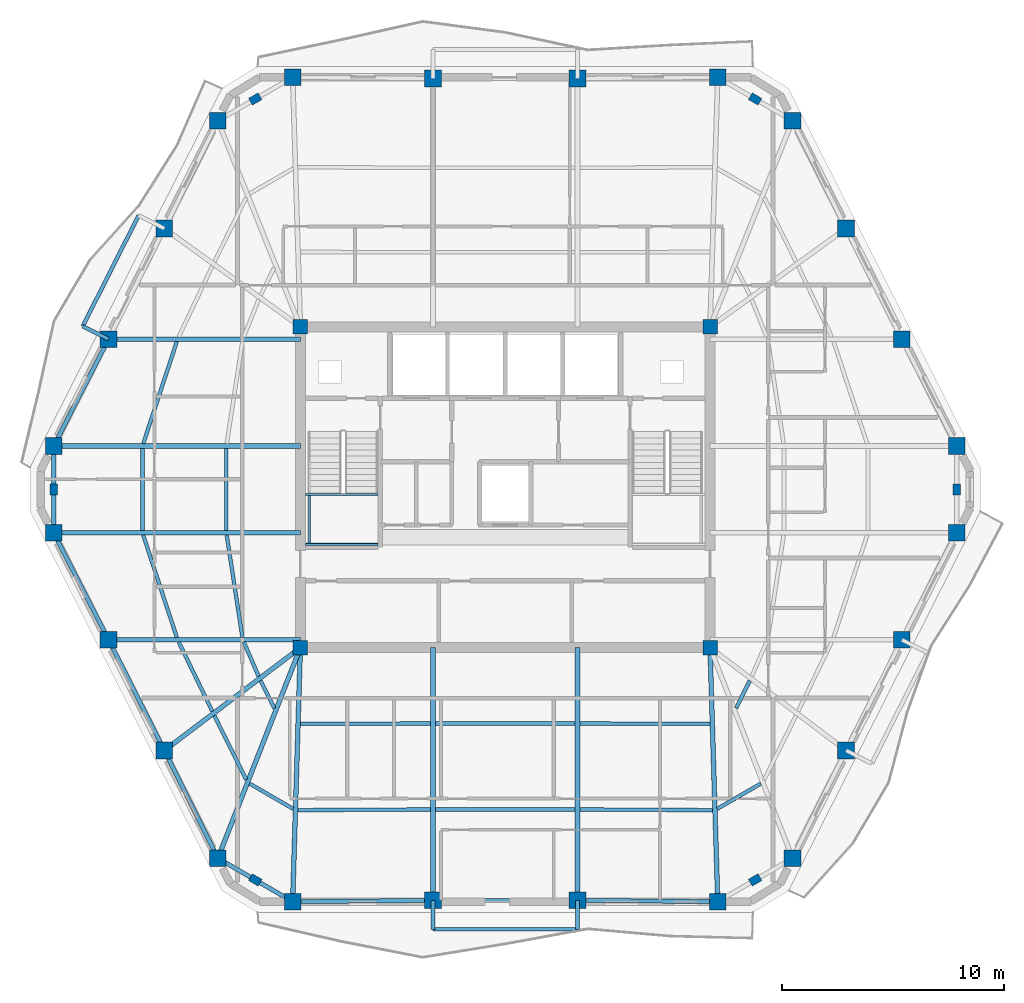
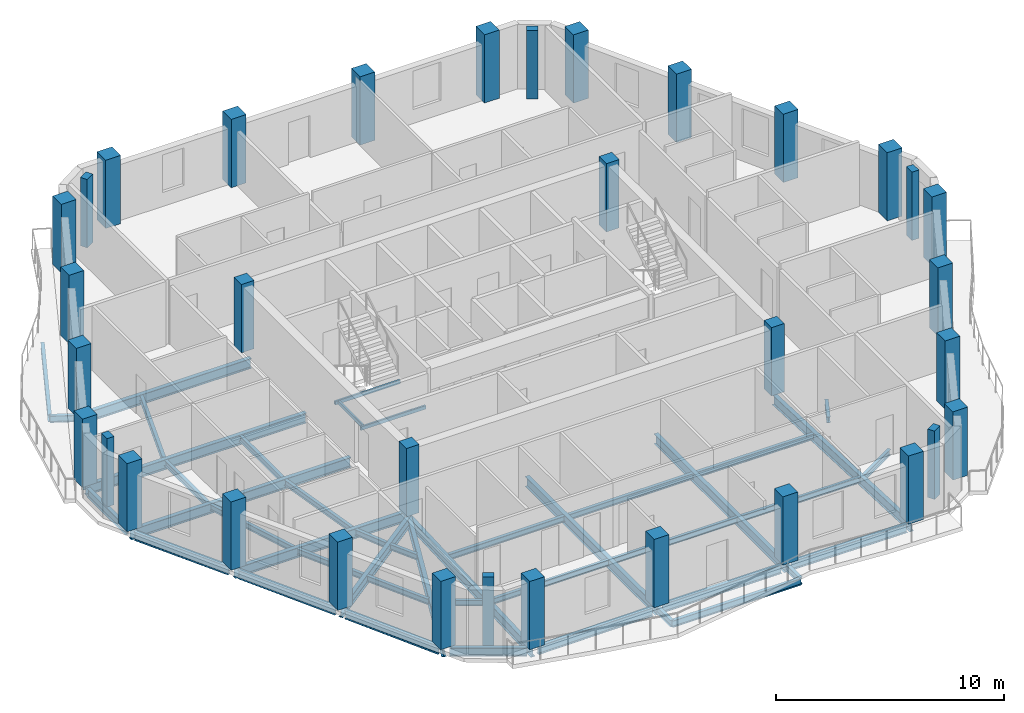
# One storey, part 1 of 11: 45 beams, 34 columns.
"""IFC4 building model written with IfcOpenShell, lengths in metres."""

from ifc_helpers import new_model, si_unit, direction, frame, origin, origin_2d, place, context, subcontext, project, spatial, rectangle, hollow_rectangle, i_section, extrude, material, material_profile, profile_set, type_object, element, save


model = new_model("IFC4")

# Units and contexts
model_context = context("Model", 3, precision=1e-05, world=origin(), true_north=direction((0.0, 1.0)))
body_context = subcontext(model_context, "Body", "Model", "MODEL_VIEW")
ifc_project = project(units=[si_unit("LENGTHUNIT", "METRE"), si_unit("AREAUNIT", "SQUARE_METRE"), si_unit("VOLUMEUNIT", "CUBIC_METRE"), si_unit("PLANEANGLEUNIT", "RADIAN"), si_unit("MASSUNIT", "GRAM", prefix="KILO")], contexts=[model_context])

# Site, building, storey
site_placement = place(None, origin())
site = spatial("IfcSite", under=ifc_project, at=site_placement, CompositionType="ELEMENT")
building_placement = place(site_placement, origin())
building = spatial("IfcBuilding", under=site, at=building_placement, Name="Cinnabar Lancet Tower", CompositionType="ELEMENT")
storey_placement = place(building_placement, frame((0.0, 0.0, 252.550048828125)))
storey = spatial("IfcBuildingStorey", under=building, at=storey_placement, Name="L67", CompositionType="ELEMENT", Elevation=252.550048828125)

# Columns
ifc_material_1 = material(Name="Concrete C50/60", Category="concrete")
ifc_material_profile_1 = material_profile(ifc_material_1, rectangle(XDim=0.64990234375, YDim=0.64990234375, at=origin_2d()), Name="RC-COL 650x650")
ifc_profile_set_1 = profile_set([ifc_material_profile_1], Name="Concrete C50/60")
column_type_1 = type_object("IfcColumnType", Name="STR-COL-CORE-650B", PredefinedType="COLUMN", material=ifc_profile_set_1)
for number, where, z_axis, x_axis, name in (
    (1, (23.175048828125, 18.675048828125, 0.0), (0.0, 0.0, 1.0), (1.0, 0.0, 0.0), "L67 Core Corner Column SW"),
    (2, (41.625, 18.675048828125, 0.0), (0.0, 0.0, 1.0), (1.0, 0.0, 0.0), "L67 Core Corner Column SE"),
    (3, (41.625, 33.125, 0.0), (0.0, 0.0, 1.0), (1.0, 0.0, 0.0), "L67 Core Corner Column NE"),
    (4, (23.175048828125, 33.125, 0.0), (0.0, 0.0, 1.0), (1.0, 0.0, 0.0), "L67 Core Corner Column NW"),
):
    element("IfcColumn", number, at=place(storey_placement, frame(where, z_axis=z_axis, x_axis=x_axis)), inside=storey, type_object=column_type_1, Name=name, PredefinedType="COLUMN", context=body_context, shape_type="SweptSolid", body=[
        extrude(rectangle(XDim=0.64990234375, YDim=0.64990234375, at=origin_2d()), origin(), (0.0, 0.0, 1.0), 3.64990234375),
    ])
ifc_material_2 = material(Name="Concrete C60/75", Category="concrete")
ifc_material_profile_2 = material_profile(ifc_material_2, rectangle(XDim=0.5, YDim=0.35009765625, at=origin_2d()), Name="RC-PIL 500x350")
ifc_profile_set_2 = profile_set([ifc_material_profile_2], Name="Concrete C60/75")
column_type_2 = type_object("IfcColumnType", Name="STR-COL-PIL-500", PredefinedType="PILASTER", material=ifc_profile_set_2)
for number, where, z_axis, x_axis, name in (
    (5, (21.14306640625, 8.215087890625, 0.0), (0.0, 0.0, 1.0), (0.865256437757, -0.501329529272, 0.0), "L67 Chamfered Corner Pilaster 1"),
    (6, (43.656982421875, 8.215087890625, 0.0), (0.0, 0.0, 1.0), (0.865256437757, 0.501329529272, 0.0), "L67 Chamfered Corner Pilaster 2"),
    (7, (52.737060546875, 25.800048828125, 0.0), (0.0, 0.0, 1.0), (0.0, 1.0, 0.0), "L67 Chamfered Corner Pilaster 3"),
    (8, (43.656982421875, 43.385009765625, 0.0), (0.0, 0.0, 1.0), (-0.865256437757, 0.501329529272, 0.0), "L67 Chamfered Corner Pilaster 4"),
    (9, (21.14306640625, 43.385009765625, 0.0), (0.0, 0.0, 1.0), (-0.865256437757, -0.501329529272, 0.0), "L67 Chamfered Corner Pilaster 5"),
    (10, (12.06298828125, 25.800048828125, 0.0), (0.0, 0.0, 1.0), (0.0, -1.0, 0.0), "L67 Chamfered Corner Pilaster 6"),
):
    element("IfcColumn", number, at=place(storey_placement, frame(where, z_axis=z_axis, x_axis=x_axis)), inside=storey, type_object=column_type_2, Name=name, PredefinedType="PILASTER", context=body_context, shape_type="SweptSolid", body=[
        extrude(rectangle(XDim=0.5, YDim=0.35009765625, at=origin_2d()), origin(), (0.0, 0.0, 1.0), 3.64990234375),
    ])
ifc_material_3 = material(Name="Concrete C50/60", Category="concrete")
ifc_material_profile_3 = material_profile(ifc_material_3, rectangle(XDim=0.75, YDim=0.75, at=origin_2d()), Name="RC-COL 750x750")
ifc_profile_set_3 = profile_set([ifc_material_profile_3], Name="Concrete C50/60")
column_type_3 = type_object("IfcColumnType", Name="STR-COL-TUBE-750", PredefinedType="COLUMN", material=ifc_profile_set_3)
for number, where, z_axis, x_axis, name in (
    (11, (22.827880859375, 7.239013671875, 0.0), (0.0, 0.0, 1.0), (1.0, 0.0, 0.0), "L67 Perimeter Tube Column 1"),
    (12, (29.14599609375, 7.2919921875, 0.0), (0.0, 0.0, 1.0), (1.0, 0.0, 0.0), "L67 Perimeter Tube Column 2"),
    (13, (35.654052734375, 7.2919921875, 0.0), (0.0, 0.0, 1.0), (1.0, 0.0, 0.0), "L67 Perimeter Tube Column 3"),
    (14, (41.971923828125, 7.239013671875, 0.0), (0.0, 0.0, 1.0), (1.0, 0.0, 0.0), "L67 Perimeter Tube Column 4"),
    (15, (45.341064453125, 9.19091796875, 0.0), (0.0, 0.0, 1.0), (1.0, 0.0, 0.0), "L67 Perimeter Tube Column 5"),
    (16, (47.7490234375, 14.0458984375, 0.0), (0.0, 0.0, 1.0), (1.0, 0.0, 0.0), "L67 Perimeter Tube Column 6"),
    (17, (50.263916015625, 19.032958984375, 0.0), (0.0, 0.0, 1.0), (1.0, 0.0, 0.0), "L67 Perimeter Tube Column 7"),
    (18, (52.737060546875, 23.844970703125, 0.0), (0.0, 0.0, 1.0), (1.0, 0.0, 0.0), "L67 Perimeter Tube Column 8"),
    (19, (52.737060546875, 27.7548828125, 0.0), (0.0, 0.0, 1.0), (1.0, 0.0, 0.0), "L67 Perimeter Tube Column 9"),
    (20, (50.263916015625, 32.56689453125, 0.0), (0.0, 0.0, 1.0), (1.0, 0.0, 0.0), "L67 Perimeter Tube Column 10"),
    (21, (47.7490234375, 37.553955078125, 0.0), (0.0, 0.0, 1.0), (1.0, 0.0, 0.0), "L67 Perimeter Tube Column 11"),
    (22, (45.341064453125, 42.408935546875, 0.0), (0.0, 0.0, 1.0), (1.0, 0.0, 0.0), "L67 Perimeter Tube Column 12"),
    (23, (41.971923828125, 44.361083984375, 0.0), (0.0, 0.0, 1.0), (1.0, 0.0, 0.0), "L67 Perimeter Tube Column 13"),
    (24, (35.654052734375, 44.30810546875, 0.0), (0.0, 0.0, 1.0), (1.0, 0.0, 0.0), "L67 Perimeter Tube Column 14"),
    (25, (29.14599609375, 44.30810546875, 0.0), (0.0, 0.0, 1.0), (1.0, 0.0, 0.0), "L67 Perimeter Tube Column 15"),
    (26, (22.827880859375, 44.361083984375, 0.0), (0.0, 0.0, 1.0), (1.0, 0.0, 0.0), "L67 Perimeter Tube Column 16"),
    (27, (19.458984375, 42.408935546875, 0.0), (0.0, 0.0, 1.0), (1.0, 0.0, 0.0), "L67 Perimeter Tube Column 17"),
    (28, (17.051025390625, 37.553955078125, 0.0), (0.0, 0.0, 1.0), (1.0, 0.0, 0.0), "L67 Perimeter Tube Column 18"),
    (29, (14.535888671875, 32.56689453125, 0.0), (0.0, 0.0, 1.0), (1.0, 0.0, 0.0), "L67 Perimeter Tube Column 19"),
    (30, (12.06298828125, 27.7548828125, 0.0), (0.0, 0.0, 1.0), (1.0, 0.0, 0.0), "L67 Perimeter Tube Column 20"),
    (31, (12.06298828125, 23.844970703125, 0.0), (0.0, 0.0, 1.0), (1.0, 0.0, 0.0), "L67 Perimeter Tube Column 21"),
    (32, (14.535888671875, 19.032958984375, 0.0), (0.0, 0.0, 1.0), (1.0, 0.0, 0.0), "L67 Perimeter Tube Column 22"),
    (33, (17.051025390625, 14.0458984375, 0.0), (0.0, 0.0, 1.0), (1.0, 0.0, 0.0), "L67 Perimeter Tube Column 23"),
    (34, (19.458984375, 9.19091796875, 0.0), (0.0, 0.0, 1.0), (1.0, 0.0, 0.0), "L67 Perimeter Tube Column 24"),
):
    element("IfcColumn", number, at=place(storey_placement, frame(where, z_axis=z_axis, x_axis=x_axis)), inside=storey, type_object=column_type_3, Name=name, PredefinedType="COLUMN", context=body_context, shape_type="SweptSolid", body=[
        extrude(rectangle(XDim=0.75, YDim=0.75, at=origin_2d()), origin(), (0.0, 0.0, 1.0), 3.64990234375),
    ])

# Beams
ifc_material_4 = material(Name="Structural steel S355", Category="steel")
ifc_material_profile_4 = material_profile(ifc_material_4, i_section(OverallWidth=0.1650390625, OverallDepth=0.303466796875, WebThickness=0.006103515625, FlangeThickness=0.01025390625, FilletRadius=0.0087890625, at=origin_2d()), Name="UKB 305x165x40")
ifc_profile_set_4 = profile_set([ifc_material_profile_4], Name="Structural steel S355")
beam_type_1 = type_object("IfcBeamType", Name="STR-BM-JST-305", PredefinedType="JOIST", material=ifc_profile_set_4)
beam_1_placement = place(storey_placement, frame((16.097900390625, 23.739990234375, -0.35205078125), z_axis=(0.312536616989, -0.949905712711, 0.0), x_axis=(0.949905712711, 0.312536616989, 0.0)))
element("IfcBeam", 35, at=beam_1_placement, inside=storey, type_object=beam_type_1, Name="L67 Secondary Floor Joist 1", PredefinedType="JOIST", context=body_context, shape_type="SweptSolid", body=[
    extrude(i_section(OverallWidth=0.1650390625, OverallDepth=0.303466796875, WebThickness=0.006103515625, FlangeThickness=0.01025390625, FilletRadius=0.0087890625, at=origin_2d()), origin(), (0.0, 0.0, 1.0), 4.8447265625),
])
beam_2_placement = place(storey_placement, frame((19.85791015625, 23.739990234375, -0.35205078125), z_axis=(0.152262059154, -0.988340156698, 0.0), x_axis=(0.988340156698, 0.152262059154, 0.0)))
element("IfcBeam", 36, at=beam_2_placement, inside=storey, type_object=beam_type_1, Name="L67 Secondary Floor Joist 2", PredefinedType="JOIST", context=body_context, shape_type="SweptSolid", body=[
    extrude(i_section(OverallWidth=0.1650390625, OverallDepth=0.303466796875, WebThickness=0.006103515625, FlangeThickness=0.01025390625, FilletRadius=0.0087890625, at=origin_2d()), origin(), (0.0, 0.0, 1.0), 4.65625),
])
beam_3_placement = place(storey_placement, frame((17.697021484375, 18.927978515625, -0.35205078125), z_axis=(0.43610936109, -0.899893674369, 0.0), x_axis=(0.899893674369, 0.43610936109, 0.0)))
element("IfcBeam", 37, at=beam_3_placement, inside=storey, type_object=beam_type_1, Name="L67 Secondary Floor Joist 3", PredefinedType="JOIST", context=body_context, shape_type="SweptSolid", body=[
    extrude(i_section(OverallWidth=0.1650390625, OverallDepth=0.303466796875, WebThickness=0.006103515625, FlangeThickness=0.01025390625, FilletRadius=0.0087890625, at=origin_2d()), origin(), (0.0, 0.0, 1.0), 3.467041015625),
])
beam_4_placement = place(storey_placement, frame((20.62890625, 18.927978515625, -0.35205078125), z_axis=(0.396302440144, -0.91812002262, 0.0), x_axis=(0.91812002262, 0.396302440144, 0.0)))
element("IfcBeam", 38, at=beam_4_placement, inside=storey, type_object=beam_type_1, Name="L67 Secondary Floor Joist 4", PredefinedType="JOIST", context=body_context, shape_type="SweptSolid", body=[
    extrude(i_section(OverallWidth=0.1650390625, OverallDepth=0.303466796875, WebThickness=0.006103515625, FlangeThickness=0.01025390625, FilletRadius=0.0087890625, at=origin_2d()), origin(), (0.0, 0.0, 1.0), 1.6806640625),
])
beam_5_placement = place(storey_placement, frame((19.302978515625, 15.616943359375, -0.35205078125), z_axis=(0.444330443712, -0.895862967641, 0.0), x_axis=(0.895862967641, 0.444330443712, 0.0)))
element("IfcBeam", 39, at=beam_5_placement, inside=storey, type_object=beam_type_1, Name="L67 Secondary Floor Joist 5", PredefinedType="JOIST", context=body_context, shape_type="SweptSolid", body=[
    extrude(i_section(OverallWidth=0.1650390625, OverallDepth=0.303466796875, WebThickness=0.006103515625, FlangeThickness=0.01025390625, FilletRadius=0.0087890625, at=origin_2d()), origin(), (0.0, 0.0, 1.0), 3.220458984375),
])
beam_6_placement = place(storey_placement, frame((21.385009765625, 17.19091796875, -0.35205078125), z_axis=(0.444093192127, -0.89598060063, 0.0), x_axis=(0.89598060063, 0.444093192127, 0.0)))
element("IfcBeam", 40, at=beam_6_placement, inside=storey, type_object=beam_type_1, Name="L67 Secondary Floor Joist 6", PredefinedType="JOIST", context=body_context, shape_type="SweptSolid", body=[
    extrude(i_section(OverallWidth=0.1650390625, OverallDepth=0.303466796875, WebThickness=0.006103515625, FlangeThickness=0.01025390625, FilletRadius=0.0087890625, at=origin_2d()), origin(), (0.0, 0.0, 1.0), 1.378173828125),
])
beam_7_placement = place(storey_placement, frame((20.887939453125, 12.552001953125, -0.35205078125), z_axis=(0.865426285481, -0.501036270542, 0.0), x_axis=(0.501036270542, 0.865426285481, 0.0)))
element("IfcBeam", 41, at=beam_7_placement, inside=storey, type_object=beam_type_1, Name="L67 Secondary Floor Joist 7", PredefinedType="JOIST", context=body_context, shape_type="SweptSolid", body=[
    extrude(i_section(OverallWidth=0.1650390625, OverallDepth=0.303466796875, WebThickness=0.006103515625, FlangeThickness=0.01025390625, FilletRadius=0.0087890625, at=origin_2d()), origin(), (0.0, 0.0, 1.0), 2.267333984375),
])
beam_8_placement = place(storey_placement, frame((23.05810546875, 11.35693359375, -0.35205078125), z_axis=(0.999985712428, 0.005345553266, 0.0), x_axis=(-0.005345553266, 0.999985712428, 0.0)))
element("IfcBeam", 42, at=beam_8_placement, inside=storey, type_object=beam_type_1, Name="L67 Secondary Floor Joist 8", PredefinedType="JOIST", context=body_context, shape_type="SweptSolid", body=[
    extrude(i_section(OverallWidth=0.1650390625, OverallDepth=0.303466796875, WebThickness=0.006103515625, FlangeThickness=0.01025390625, FilletRadius=0.0087890625, at=origin_2d()), origin(), (0.0, 0.0, 1.0), 5.98291015625),
])
beam_9_placement = place(storey_placement, frame((23.176025390625, 15.243896484375, -0.35205078125), z_axis=(0.999996226008, 0.002747356738, 0.0), x_axis=(-0.002747356738, 0.999996226008, 0.0)))
element("IfcBeam", 43, at=beam_9_placement, inside=storey, type_object=beam_type_1, Name="L67 Secondary Floor Joist 9", PredefinedType="JOIST", context=body_context, shape_type="SweptSolid", body=[
    extrude(i_section(OverallWidth=0.1650390625, OverallDepth=0.303466796875, WebThickness=0.006103515625, FlangeThickness=0.01025390625, FilletRadius=0.0087890625, at=origin_2d()), origin(), (0.0, 0.0, 1.0), 5.864990234375),
])
for number, where, z_axis, x_axis, name in (
    (44, (29.2509765625, 11.389892578125, -0.35205078125), (1.0, 0.0, 0.0), (0.0, 1.0, 0.0), "L67 Secondary Floor Joist 10"),
    (45, (29.2509765625, 15.260009765625, -0.35205078125), (1.0, 0.0, 0.0), (0.0, 1.0, 0.0), "L67 Secondary Floor Joist 11"),
):
    element("IfcBeam", number, at=place(storey_placement, frame(where, z_axis=z_axis, x_axis=x_axis)), inside=storey, type_object=beam_type_1, Name=name, PredefinedType="JOIST", context=body_context, shape_type="SweptSolid", body=[
        extrude(i_section(OverallWidth=0.1650390625, OverallDepth=0.303466796875, WebThickness=0.006103515625, FlangeThickness=0.01025390625, FilletRadius=0.0087890625, at=origin_2d()), origin(), (0.0, 0.0, 1.0), 6.298095703125),
    ])
beam_10_placement = place(storey_placement, frame((35.759033203125, 11.388916015625, -0.35205078125), z_axis=(0.999985712428, -0.005345553266, 0.0), x_axis=(0.005345553266, 0.999985712428, 0.0)))
element("IfcBeam", 46, at=beam_10_placement, inside=storey, type_object=beam_type_1, Name="L67 Secondary Floor Joist 12", PredefinedType="JOIST", context=body_context, shape_type="SweptSolid", body=[
    extrude(i_section(OverallWidth=0.1650390625, OverallDepth=0.303466796875, WebThickness=0.006103515625, FlangeThickness=0.01025390625, FilletRadius=0.0087890625, at=origin_2d()), origin(), (0.0, 0.0, 1.0), 5.98291015625),
])
beam_11_placement = place(storey_placement, frame((35.759033203125, 15.260009765625, -0.35205078125), z_axis=(0.999996226008, -0.002747356738, 0.0), x_axis=(0.002747356738, 0.999996226008, 0.0)))
element("IfcBeam", 47, at=beam_11_placement, inside=storey, type_object=beam_type_1, Name="L67 Secondary Floor Joist 13", PredefinedType="JOIST", context=body_context, shape_type="SweptSolid", body=[
    extrude(i_section(OverallWidth=0.1650390625, OverallDepth=0.303466796875, WebThickness=0.006103515625, FlangeThickness=0.01025390625, FilletRadius=0.0087890625, at=origin_2d()), origin(), (0.0, 0.0, 1.0), 5.864990234375),
])
beam_12_placement = place(storey_placement, frame((41.949951171875, 11.416015625, -0.35205078125), z_axis=(0.865426285481, 0.501036270542, 0.0), x_axis=(-0.501036270542, 0.865426285481, 0.0)))
element("IfcBeam", 48, at=beam_12_placement, inside=storey, type_object=beam_type_1, Name="L67 Secondary Floor Joist 14", PredefinedType="JOIST", context=body_context, shape_type="SweptSolid", body=[
    extrude(i_section(OverallWidth=0.1650390625, OverallDepth=0.303466796875, WebThickness=0.006103515625, FlangeThickness=0.01025390625, FilletRadius=0.0087890625, at=origin_2d()), origin(), (0.0, 0.0, 1.0), 2.267333984375),
])
beam_13_placement = place(storey_placement, frame((42.802978515625, 15.9560546875, -0.35205078125), z_axis=(0.444093192127, 0.89598060063, 0.0), x_axis=(-0.89598060063, 0.444093192127, 0.0)))
element("IfcBeam", 49, at=beam_13_placement, inside=storey, type_object=beam_type_1, Name="L67 Secondary Floor Joist 16", PredefinedType="JOIST", context=body_context, shape_type="SweptSolid", body=[
    extrude(i_section(OverallWidth=0.1650390625, OverallDepth=0.303466796875, WebThickness=0.006103515625, FlangeThickness=0.01025390625, FilletRadius=0.0087890625, at=origin_2d()), origin(), (0.0, 0.0, 1.0), 1.378173828125),
])
beam_14_placement = place(storey_placement, frame((17.612060546875, 32.4619140625, -0.35205078125), z_axis=(-0.312551578319, -0.949900790025, 0.0), x_axis=(0.949900790025, -0.312551578319, 0.0)))
element("IfcBeam", 50, at=beam_14_placement, inside=storey, type_object=beam_type_1, Name="L67 Secondary Floor Joist 41", PredefinedType="JOIST", context=body_context, shape_type="SweptSolid", body=[
    extrude(i_section(OverallWidth=0.1650390625, OverallDepth=0.303466796875, WebThickness=0.006103515625, FlangeThickness=0.01025390625, FilletRadius=0.0087890625, at=origin_2d()), origin(), (0.0, 0.0, 1.0), 4.844482421875),
])
for number, where, z_axis, x_axis, name in (
    (51, (16.06298828125, 27.64990234375, -0.35205078125), (0.0, -1.0, 0.0), (1.0, 0.0, 0.0), "L67 Secondary Floor Joist 43"),
    (52, (19.841064453125, 27.64990234375, -0.35205078125), (0.0, -1.0, 0.0), (1.0, 0.0, 0.0), "L67 Secondary Floor Joist 44"),
):
    element("IfcBeam", number, at=place(storey_placement, frame(where, z_axis=z_axis, x_axis=x_axis)), inside=storey, type_object=beam_type_1, Name=name, PredefinedType="JOIST", context=body_context, shape_type="SweptSolid", body=[
        extrude(i_section(OverallWidth=0.1650390625, OverallDepth=0.303466796875, WebThickness=0.006103515625, FlangeThickness=0.01025390625, FilletRadius=0.0087890625, at=origin_2d()), origin(), (0.0, 0.0, 1.0), 3.699951171875),
    ])
ifc_material_5 = material(Name="Structural steel S355", Category="steel")
ifc_material_profile_5 = material_profile(ifc_material_5, hollow_rectangle(XDim=0.10009765625, YDim=0.199951171875, WallThickness=0.008056640625, InnerFilletRadius=0.00390625, OuterFilletRadius=0.011962890625, at=origin_2d()), Name="RHS 200x100x8")
ifc_profile_set_5 = profile_set([ifc_material_profile_5], Name="Structural steel S355")
beam_type_2 = type_object("IfcBeamType", Name="STR-BM-LND-203", PredefinedType="BEAM", material=ifc_profile_set_5)
for number, where, z_axis, x_axis, name in (
    (53, (23.39990234375, 23.330078125, 1.52490234375), (1.0, 0.0, 0.0), (0.0, 1.0, 0.0), "L67 ST-1-L67 Landing Support Beam S"),
    (54, (23.39990234375, 25.570068359375, 1.52490234375), (1.0, 0.0, 0.0), (0.0, 1.0, 0.0), "L67 ST-1-L67 Landing Support Beam N"),
):
    element("IfcBeam", number, at=place(storey_placement, frame(where, z_axis=z_axis, x_axis=x_axis)), inside=storey, type_object=beam_type_2, Name=name, PredefinedType="BEAM", context=body_context, shape_type="SweptSolid", body=[
        extrude(hollow_rectangle(XDim=0.10009765625, YDim=0.199951171875, WallThickness=0.008056640625, InnerFilletRadius=0.00390625, OuterFilletRadius=0.011962890625, at=origin_2d()), origin(), (0.0, 0.0, 1.0), 3.280029296875),
    ])
beam_15_placement = place(storey_placement, frame((23.580078125, 23.3798828125, 1.52490234375), z_axis=(0.0, 1.0, 0.0), x_axis=(-1.0, 0.0, 0.0)))
element("IfcBeam", 55, at=beam_15_placement, inside=storey, type_object=beam_type_2, Name="L67 ST-1-L67 Landing Side Trimmer Beam", PredefinedType="BEAM", context=body_context, shape_type="SweptSolid", body=[
    extrude(hollow_rectangle(XDim=0.10009765625, YDim=0.199951171875, WallThickness=0.008056640625, InnerFilletRadius=0.00390625, OuterFilletRadius=0.011962890625, at=origin_2d()), origin(), (0.0, 0.0, 1.0), 2.14013671875),
])
ifc_material_6 = material(Name="Structural steel S355", Category="steel")
ifc_material_profile_6 = material_profile(ifc_material_6, i_section(OverallWidth=0.1904296875, OverallDepth=0.45703125, WebThickness=0.009033203125, FlangeThickness=0.014404296875, FilletRadius=0.01025390625, at=origin_2d()), Name="UKB 457x191x74")
ifc_profile_set_6 = profile_set([ifc_material_profile_6], Name="Structural steel S355")
beam_type_3 = type_object("IfcBeamType", Name="STR-BM-SPN-457", PredefinedType="SPANDREL", material=ifc_profile_set_6)
beam_16_placement = place(storey_placement, frame((23.077880859375, 7.240966796875, -0.428955078125), z_axis=(0.999964432412, 0.008434092187, 0.0), x_axis=(-0.008434092187, 0.999964432412, 0.0)))
element("IfcBeam", 56, at=beam_16_placement, inside=storey, type_object=beam_type_3, Name="L67 Perimeter Spandrel 1", PredefinedType="SPANDREL", context=body_context, shape_type="SweptSolid", body=[
    extrude(i_section(OverallWidth=0.1904296875, OverallDepth=0.45703125, WebThickness=0.009033203125, FlangeThickness=0.014404296875, FilletRadius=0.01025390625, at=origin_2d()), origin(), (0.0, 0.0, 1.0), 5.818359375),
])
beam_17_placement = place(storey_placement, frame((29.39599609375, 7.2919921875, -0.428955078125), z_axis=(1.0, 0.0, 0.0), x_axis=(0.0, 1.0, 0.0)))
element("IfcBeam", 57, at=beam_17_placement, inside=storey, type_object=beam_type_3, Name="L67 Perimeter Spandrel 2", PredefinedType="SPANDREL", context=body_context, shape_type="SweptSolid", body=[
    extrude(i_section(OverallWidth=0.1904296875, OverallDepth=0.45703125, WebThickness=0.009033203125, FlangeThickness=0.014404296875, FilletRadius=0.01025390625, at=origin_2d()), origin(), (0.0, 0.0, 1.0), 6.008056640625),
])
beam_18_placement = place(storey_placement, frame((35.904052734375, 7.2900390625, -0.428955078125), z_axis=(0.999964429427, -0.00843444609, 0.0), x_axis=(0.00843444609, 0.999964429427, 0.0)))
element("IfcBeam", 58, at=beam_18_placement, inside=storey, type_object=beam_type_3, Name="L67 Perimeter Spandrel 3", PredefinedType="SPANDREL", context=body_context, shape_type="SweptSolid", body=[
    extrude(i_section(OverallWidth=0.1904296875, OverallDepth=0.45703125, WebThickness=0.009033203125, FlangeThickness=0.014404296875, FilletRadius=0.01025390625, at=origin_2d()), origin(), (0.0, 0.0, 1.0), 5.818115234375),
])
beam_19_placement = place(storey_placement, frame((14.422119140625, 32.344970703125, -0.428955078125), z_axis=(-0.457148063427, -0.889390604912, 0.0), x_axis=(0.889390604912, -0.457148063427, 0.0)))
element("IfcBeam", 59, at=beam_19_placement, inside=storey, type_object=beam_type_3, Name="L67 Perimeter Spandrel 19", PredefinedType="SPANDREL", context=body_context, shape_type="SweptSolid", body=[
    extrude(i_section(OverallWidth=0.1904296875, OverallDepth=0.45703125, WebThickness=0.009033203125, FlangeThickness=0.014404296875, FilletRadius=0.01025390625, at=origin_2d()), origin(), (0.0, 0.0, 1.0), 4.9111328125),
])
beam_20_placement = place(storey_placement, frame((12.06298828125, 27.5048828125, -0.428955078125), z_axis=(0.0, -1.0, 0.0), x_axis=(1.0, 0.0, 0.0)))
element("IfcBeam", 60, at=beam_20_placement, inside=storey, type_object=beam_type_3, Name="L67 Perimeter Spandrel 20", PredefinedType="SPANDREL", context=body_context, shape_type="SweptSolid", body=[
    extrude(i_section(OverallWidth=0.1904296875, OverallDepth=0.45703125, WebThickness=0.009033203125, FlangeThickness=0.014404296875, FilletRadius=0.01025390625, at=origin_2d()), origin(), (0.0, 0.0, 1.0), 3.409912109375),
])
beam_21_placement = place(storey_placement, frame((12.177001953125, 23.623046875, -0.428955078125), z_axis=(0.457127852293, -0.889400993174, 0.0), x_axis=(0.889400993174, 0.457127852293, 0.0)))
element("IfcBeam", 61, at=beam_21_placement, inside=storey, type_object=beam_type_3, Name="L67 Perimeter Spandrel 21", PredefinedType="SPANDREL", context=body_context, shape_type="SweptSolid", body=[
    extrude(i_section(OverallWidth=0.1904296875, OverallDepth=0.45703125, WebThickness=0.009033203125, FlangeThickness=0.014404296875, FilletRadius=0.01025390625, at=origin_2d()), origin(), (0.0, 0.0, 1.0), 4.911376953125),
])
beam_22_placement = place(storey_placement, frame((14.64892578125, 18.81005859375, -0.428955078125), z_axis=(0.450130146726, -0.892962961722, 0.0), x_axis=(0.892962961722, 0.450130146726, 0.0)))
element("IfcBeam", 62, at=beam_22_placement, inside=storey, type_object=beam_type_3, Name="L67 Perimeter Spandrel 22", PredefinedType="SPANDREL", context=body_context, shape_type="SweptSolid", body=[
    extrude(i_section(OverallWidth=0.1904296875, OverallDepth=0.45703125, WebThickness=0.009033203125, FlangeThickness=0.014404296875, FilletRadius=0.01025390625, at=origin_2d()), origin(), (0.0, 0.0, 1.0), 5.08544921875),
])
beam_23_placement = place(storey_placement, frame((17.162109375, 13.822021484375, -0.428955078125), z_axis=(0.44433276947, -0.895861814107, 0.0), x_axis=(0.895861814107, 0.44433276947, 0.0)))
element("IfcBeam", 63, at=beam_23_placement, inside=storey, type_object=beam_type_3, Name="L67 Perimeter Spandrel 23", PredefinedType="SPANDREL", context=body_context, shape_type="SweptSolid", body=[
    extrude(i_section(OverallWidth=0.1904296875, OverallDepth=0.45703125, WebThickness=0.009033203125, FlangeThickness=0.014404296875, FilletRadius=0.01025390625, at=origin_2d()), origin(), (0.0, 0.0, 1.0), 4.919189453125),
])
beam_24_placement = place(storey_placement, frame((19.675048828125, 9.06591796875, -0.428955078125), z_axis=(0.865230894194, -0.50137361292, 0.0), x_axis=(0.50137361292, 0.865230894194, 0.0)))
element("IfcBeam", 64, at=beam_24_placement, inside=storey, type_object=beam_type_3, Name="L67 Perimeter Spandrel 24", PredefinedType="SPANDREL", context=body_context, shape_type="SweptSolid", body=[
    extrude(i_section(OverallWidth=0.1904296875, OverallDepth=0.45703125, WebThickness=0.009033203125, FlangeThickness=0.014404296875, FilletRadius=0.01025390625, at=origin_2d()), origin(), (0.0, 0.0, 1.0), 3.39453125),
])
ifc_material_7 = material(Name="Structural steel S355", Category="steel")
ifc_material_profile_7 = material_profile(ifc_material_7, i_section(OverallWidth=0.209228515625, OverallDepth=0.533203125, WebThickness=0.010009765625, FlangeThickness=0.015625, FilletRadius=0.0126953125, at=origin_2d()), Name="UKB 533x210x92")
ifc_profile_set_7 = profile_set([ifc_material_profile_7], Name="Structural steel S355")
beam_type_4 = type_object("IfcBeamType", Name="STR-BM-UKB533-92", PredefinedType="BEAM", material=ifc_profile_set_7)
beam_25_placement = place(storey_placement, frame((17.051025390625, 14.0458984375, -0.467041015625), z_axis=(0.797735075719, 0.603008083667, 0.0), x_axis=(-0.603008083667, 0.797735075719, 0.0)))
element("IfcBeam", 65, at=beam_25_placement, inside=storey, type_object=beam_type_4, Name="L67 Corner Collector Girder 1", PredefinedType="BEAM", context=body_context, shape_type="SweptSolid", body=[
    extrude(i_section(OverallWidth=0.209228515625, OverallDepth=0.533203125, WebThickness=0.010009765625, FlangeThickness=0.015625, FilletRadius=0.0126953125, at=origin_2d()), origin(), (0.0, 0.0, 1.0), 7.6767578125),
])
beam_26_placement = place(storey_placement, frame((22.827880859375, 7.239013671875, -0.467041015625), z_axis=(0.030343393029, 0.999539533235, 0.0), x_axis=(-0.999539533235, 0.030343393029, 0.0)))
element("IfcBeam", 66, at=beam_26_placement, inside=storey, type_object=beam_type_4, Name="L67 Primary Floor Girder 1", PredefinedType="BEAM", context=body_context, shape_type="SweptSolid", body=[
    extrude(i_section(OverallWidth=0.209228515625, OverallDepth=0.533203125, WebThickness=0.010009765625, FlangeThickness=0.015625, FilletRadius=0.0126953125, at=origin_2d()), origin(), (0.0, 0.0, 1.0), 11.44140625),
])
for number, where, z_axis, x_axis, name in (
    (67, (29.14599609375, 7.2919921875, -0.467041015625), (0.0, 1.0, 0.0), (-1.0, 0.0, 0.0), "L67 Primary Floor Girder 2"),
    (68, (35.654052734375, 7.2919921875, -0.467041015625), (0.0, 1.0, 0.0), (-1.0, 0.0, 0.0), "L67 Primary Floor Girder 3"),
):
    element("IfcBeam", number, at=place(storey_placement, frame(where, z_axis=z_axis, x_axis=x_axis)), inside=storey, type_object=beam_type_4, Name=name, PredefinedType="BEAM", context=body_context, shape_type="SweptSolid", body=[
        extrude(i_section(OverallWidth=0.209228515625, OverallDepth=0.533203125, WebThickness=0.010009765625, FlangeThickness=0.015625, FilletRadius=0.0126953125, at=origin_2d()), origin(), (0.0, 0.0, 1.0), 11.383056640625),
    ])
beam_27_placement = place(storey_placement, frame((41.971923828125, 7.239013671875, -0.467041015625), z_axis=(-0.030322074123, 0.999540180193, 0.0), x_axis=(-0.999540180193, -0.030322074123, 0.0)))
element("IfcBeam", 69, at=beam_27_placement, inside=storey, type_object=beam_type_4, Name="L67 Primary Floor Girder 4", PredefinedType="BEAM", context=body_context, shape_type="SweptSolid", body=[
    extrude(i_section(OverallWidth=0.209228515625, OverallDepth=0.533203125, WebThickness=0.010009765625, FlangeThickness=0.015625, FilletRadius=0.0126953125, at=origin_2d()), origin(), (0.0, 0.0, 1.0), 11.44140625),
])
beam_28_placement = place(storey_placement, frame((14.535888671875, 32.56689453125, -0.467041015625), z_axis=(1.0, 0.0, 0.0), x_axis=(0.0, 1.0, 0.0)))
element("IfcBeam", 70, at=beam_28_placement, inside=storey, type_object=beam_type_4, Name="L67 Primary Floor Girder 19", PredefinedType="BEAM", context=body_context, shape_type="SweptSolid", body=[
    extrude(i_section(OverallWidth=0.209228515625, OverallDepth=0.533203125, WebThickness=0.010009765625, FlangeThickness=0.015625, FilletRadius=0.0126953125, at=origin_2d()), origin(), (0.0, 0.0, 1.0), 8.63916015625),
])
for number, where, z_axis, x_axis, name in (
    (71, (12.06298828125, 27.7548828125, -0.467041015625), (1.0, 0.0, 0.0), (0.0, 1.0, 0.0), "L67 Primary Floor Girder 20"),
    (72, (12.06298828125, 23.844970703125, -0.467041015625), (1.0, 0.0, 0.0), (0.0, 1.0, 0.0), "L67 Primary Floor Girder 21"),
):
    element("IfcBeam", number, at=place(storey_placement, frame(where, z_axis=z_axis, x_axis=x_axis)), inside=storey, type_object=beam_type_4, Name=name, PredefinedType="BEAM", context=body_context, shape_type="SweptSolid", body=[
        extrude(i_section(OverallWidth=0.209228515625, OverallDepth=0.533203125, WebThickness=0.010009765625, FlangeThickness=0.015625, FilletRadius=0.0126953125, at=origin_2d()), origin(), (0.0, 0.0, 1.0), 11.112060546875),
    ])
beam_29_placement = place(storey_placement, frame((14.535888671875, 19.032958984375, -0.467041015625), z_axis=(1.0, 0.0, 0.0), x_axis=(0.0, 1.0, 0.0)))
element("IfcBeam", 73, at=beam_29_placement, inside=storey, type_object=beam_type_4, Name="L67 Primary Floor Girder 22", PredefinedType="BEAM", context=body_context, shape_type="SweptSolid", body=[
    extrude(i_section(OverallWidth=0.209228515625, OverallDepth=0.533203125, WebThickness=0.010009765625, FlangeThickness=0.015625, FilletRadius=0.0126953125, at=origin_2d()), origin(), (0.0, 0.0, 1.0), 8.63916015625),
])
beam_30_placement = place(storey_placement, frame((19.458984375, 9.19091796875, -0.467041015625), z_axis=(0.364815017375, 0.931080019707, 0.0), x_axis=(-0.931080019707, 0.364815017375, 0.0)))
element("IfcBeam", 74, at=beam_30_placement, inside=storey, type_object=beam_type_4, Name="L67 Primary Floor Girder 24", PredefinedType="BEAM", context=body_context, shape_type="SweptSolid", body=[
    extrude(i_section(OverallWidth=0.209228515625, OverallDepth=0.533203125, WebThickness=0.010009765625, FlangeThickness=0.015625, FilletRadius=0.0126953125, at=origin_2d()), origin(), (0.0, 0.0, 1.0), 10.186279296875),
])
ifc_material_8 = material(Name="Structural steel S355", Category="steel")
ifc_material_profile_8 = material_profile(ifc_material_8, i_section(OverallWidth=0.17138671875, OverallDepth=0.35498046875, WebThickness=0.00732421875, FlangeThickness=0.011474609375, FilletRadius=0.01025390625, at=origin_2d()), Name="UKB 356x171x51")
ifc_profile_set_8 = profile_set([ifc_material_profile_8], Name="Structural steel S355")
beam_type_5 = type_object("IfcBeamType", Name="STR-BM-WAV-OUT", PredefinedType="BEAM", material=ifc_profile_set_8)
for number, where, z_axis, x_axis, name in (
    (75, (29.14599609375, 7.2919921875, -0.39697265625), (0.0, -1.0, 0.0), (1.0, 0.0, 0.0), "L67 Face 1 Balcony Outlooker A"),
    (76, (35.654052734375, 7.2919921875, -0.39697265625), (0.0, -1.0, 0.0), (1.0, 0.0, 0.0), "L67 Face 1 Balcony Outlooker B"),
    (77, (14.535888671875, 32.56689453125, -0.39697265625), (-0.892200264127, 0.451639998995, 0.0), (-0.451639998995, -0.892200264127, 0.0), "L67 Face 5 Balcony Outlooker B"),
):
    element("IfcBeam", number, at=place(storey_placement, frame(where, z_axis=z_axis, x_axis=x_axis)), inside=storey, type_object=beam_type_5, Name=name, PredefinedType="BEAM", context=body_context, shape_type="SweptSolid", body=[
        extrude(i_section(OverallWidth=0.17138671875, OverallDepth=0.35498046875, WebThickness=0.00732421875, FlangeThickness=0.011474609375, FilletRadius=0.01025390625, at=origin_2d()), origin(), (0.0, 0.0, 1.0), 1.300048828125),
    ])
ifc_material_9 = material(Name="Structural steel S355", Category="steel")
ifc_material_profile_9 = material_profile(ifc_material_9, i_section(OverallWidth=0.17138671875, OverallDepth=0.35498046875, WebThickness=0.00732421875, FlangeThickness=0.011474609375, FilletRadius=0.01025390625, at=origin_2d()), Name="UKB 356x171x51")
ifc_profile_set_9 = profile_set([ifc_material_profile_9], Name="Structural steel S355")
beam_type_6 = type_object("IfcBeamType", Name="STR-BM-WAV-TRIM", PredefinedType="SPANDREL", material=ifc_profile_set_9)
beam_31_placement = place(storey_placement, frame((29.14599609375, 5.991943359375, -0.39697265625), z_axis=(1.0, 0.0, 0.0), x_axis=(0.0, 1.0, 0.0)))
element("IfcBeam", 78, at=beam_31_placement, inside=storey, type_object=beam_type_6, Name="L67 Face 1 Balcony Edge Trimmer", PredefinedType="SPANDREL", context=body_context, shape_type="SweptSolid", body=[
    extrude(i_section(OverallWidth=0.17138671875, OverallDepth=0.35498046875, WebThickness=0.00732421875, FlangeThickness=0.011474609375, FilletRadius=0.01025390625, at=origin_2d()), origin(), (0.0, 0.0, 1.0), 6.508056640625),
])
beam_32_placement = place(storey_placement, frame((15.89111328125, 38.14111328125, -0.39697265625), z_axis=(-0.450305622338, -0.892874485295, 0.0), x_axis=(0.892874485295, -0.450305622338, 0.0)))
element("IfcBeam", 79, at=beam_32_placement, inside=storey, type_object=beam_type_6, Name="L67 Face 5 Balcony Edge Trimmer", PredefinedType="SPANDREL", context=body_context, shape_type="SweptSolid", body=[
    extrude(i_section(OverallWidth=0.17138671875, OverallDepth=0.35498046875, WebThickness=0.00732421875, FlangeThickness=0.011474609375, FilletRadius=0.01025390625, at=origin_2d()), origin(), (0.0, 0.0, 1.0), 5.58544921875),
])

save(model, "model.ifc")
